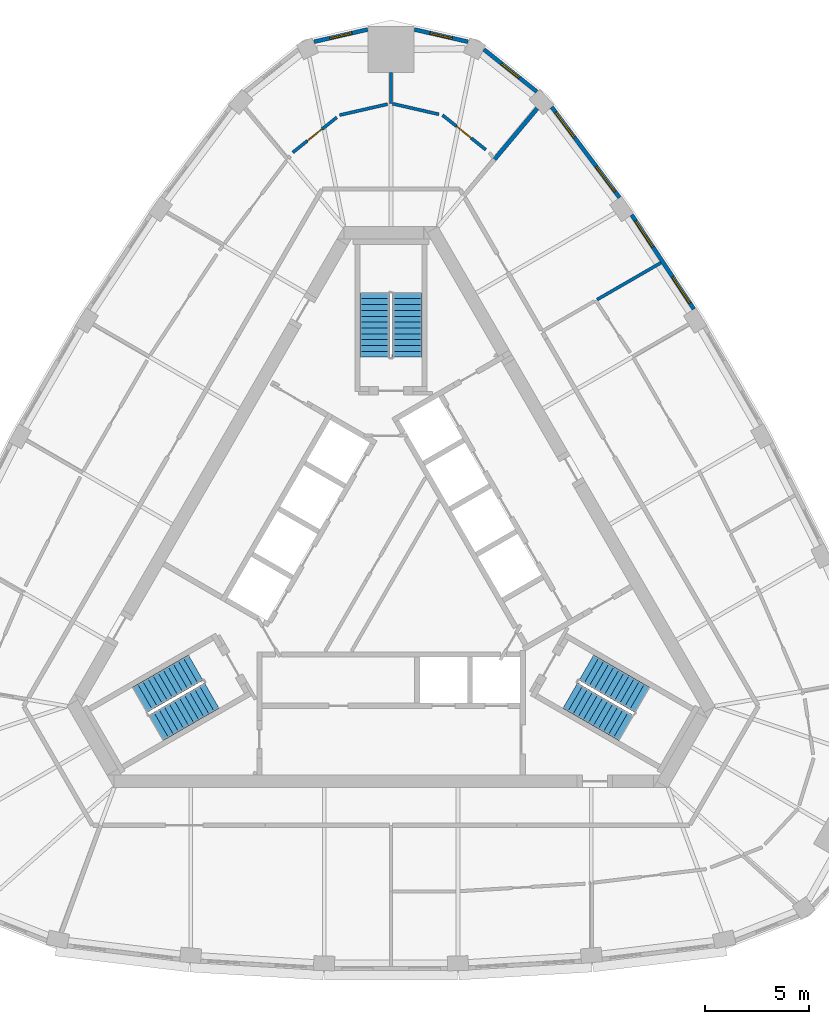
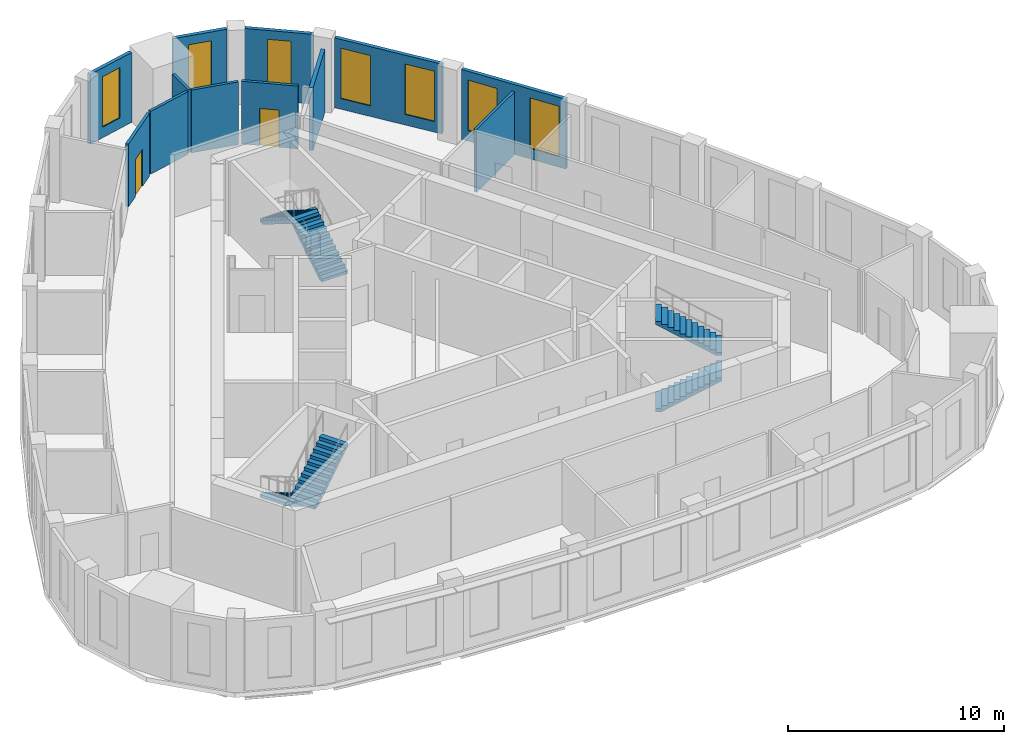
# One storey, part 9 of 10: 12 walls, 7 windows, 6 stair flights, 2 doors, 9 openings, 3 elements without a shape of their own.
"""IFC4 building model written with IfcOpenShell, lengths in metres."""

from ifc_helpers import new_model, si_unit, direction, frame, frame_2d, origin, place, context, subcontext, project, spatial, polyline, rectangle, outline, extrude, material, layer, layer_set, type_object, element, fill, aggregate, save


model = new_model("IFC4")

# Units and contexts
model_context = context("Model", 3, precision=1e-05, world=origin(), true_north=direction((0.0, 1.0)))
body_context = subcontext(model_context, "Body", "Model", "MODEL_VIEW")
ifc_project = project(units=[si_unit("LENGTHUNIT", "METRE"), si_unit("AREAUNIT", "SQUARE_METRE"), si_unit("VOLUMEUNIT", "CUBIC_METRE"), si_unit("PLANEANGLEUNIT", "RADIAN"), si_unit("MASSUNIT", "GRAM", prefix="KILO")], contexts=[model_context])

# Site, building, storey
site_placement = place(None, origin())
site = spatial("IfcSite", under=ifc_project, at=site_placement, CompositionType="ELEMENT")
building_placement = place(site_placement, origin())
building = spatial("IfcBuilding", under=site, at=building_placement, Name="Mestral Congress Tower", CompositionType="ELEMENT")
storey_placement = place(building_placement, frame((0.0, 0.0, 296.39990234375)))
storey = spatial("IfcBuildingStorey", under=building, at=storey_placement, Name="L69", CompositionType="ELEMENT", Elevation=296.39990234375)

# Wall, openings, windows
ifc_material_1 = material(Name="Precast concrete C40/50 with limestone facing", Category="masonry")
ifc_layer_1 = layer(ifc_material_1, 0.18994140625)
ifc_layer_set_1 = layer_set([ifc_layer_1], Name="Precast concrete C40/50 with limestone facing")
wall_type_1 = type_object("IfcWallType", Name="Facade stone wall 190", PredefinedType="SOLIDWALL", material=ifc_layer_set_1)
wall_1_placement = place(storey_placement, frame((14.49560546875, 12.6533203125, 0.0), z_axis=(0.0, 0.0, 1.0), x_axis=(-0.550744054781, 0.83467417962, 0.0)))
wall_1 = element("IfcWall", 1, at=wall_1_placement, inside=storey, type_object=wall_type_1, Name="Facade wall F1-03", PredefinedType="SOLIDWALL", context=body_context, shape_type="SweptSolid", body=[
    extrude(rectangle(XDim=5.406005859375, YDim=0.18994140625, at=frame_2d((2.703125, 0.0))), origin(), (0.0, 0.0, 1.0), 3.9501953125),
])
opening_1_placement = place(wall_1_placement, frame((0.346435546875, 0.0, 0.60009765625)))
opening_1 = element("IfcOpeningElement", 2, at=opening_1_placement, cuts=wall_1, Name="Opening W6", PredefinedType="OPENING", context=body_context, shape_type="SweptSolid", body=[
    extrude(rectangle(XDim=1.5, YDim=2.85009765625, at=frame_2d((0.75, 1.425048828125))), frame((0.0, 0.10498046875, 0.0), z_axis=(0.0, -1.0, 0.0), x_axis=(1.0, 0.0, 0.0)), (0.0, 0.0, 1.0), 0.2099609375),
])
opening_2_placement = place(wall_1_placement, frame((3.559326171875, 0.0, 0.60009765625)))
opening_2 = element("IfcOpeningElement", 3, at=opening_2_placement, cuts=wall_1, Name="Opening W6", PredefinedType="OPENING", context=body_context, shape_type="SweptSolid", body=[
    extrude(rectangle(XDim=1.5, YDim=2.85009765625, at=frame_2d((0.75, 1.425048828125))), frame((0.0, 0.10498046875, 0.0), z_axis=(0.0, -1.0, 0.0), x_axis=(1.0, 0.0, 0.0)), (0.0, 0.0, 1.0), 0.2099609375),
])
ifc_material_2 = material(Name="Clear low-emissivity double glazing", Category="glass")
window_type_1 = type_object("IfcWindowType", Name="Facade punched window 1500 x 2850 sill 600", PartitioningType="SINGLE_PANEL", PredefinedType="WINDOW", material=ifc_material_2)
window_1_placement = place(opening_1_placement, origin())
window_1 = element("IfcWindow", 4, at=window_1_placement, inside=storey, type_object=window_type_1, Name="Window F1-03a", OverallHeight=2.85009765625, OverallWidth=1.5, PartitioningType="SINGLE_PANEL", PredefinedType="WINDOW", context=body_context, shape_type="SweptSolid", body=[
    extrude(rectangle(XDim=1.5, YDim=2.85009765625, at=frame_2d((0.75, 1.425048828125))), frame((0.0, 0.044921875, 0.0), z_axis=(0.0, -1.0, 0.0), x_axis=(1.0, 0.0, 0.0)), (0.0, 0.0, 1.0), 0.06005859375),
])
fill(opening_1, window_1)
window_2_placement = place(opening_2_placement, origin())
window_2 = element("IfcWindow", 5, at=window_2_placement, inside=storey, type_object=window_type_1, Name="Window F1-03b", OverallHeight=2.85009765625, OverallWidth=1.5, PartitioningType="SINGLE_PANEL", PredefinedType="WINDOW", context=body_context, shape_type="SweptSolid", body=[
    extrude(rectangle(XDim=1.5, YDim=2.85009765625, at=frame_2d((0.75, 1.425048828125))), frame((0.0, 0.044921875, 0.0), z_axis=(0.0, -1.0, 0.0), x_axis=(1.0, 0.0, 0.0)), (0.0, 0.0, 1.0), 0.06005859375),
])
fill(opening_2, window_2)

wall_2_placement = place(storey_placement, frame((10.938232421875, 17.989990234375, 0.0), z_axis=(0.0, 0.0, 1.0), x_axis=(-0.599559865294, 0.800329911929, 0.0)))
wall_2 = element("IfcWall", 6, at=wall_2_placement, inside=storey, type_object=wall_type_1, Name="Facade wall F1-04", PredefinedType="SOLIDWALL", context=body_context, shape_type="SweptSolid", body=[
    extrude(rectangle(XDim=5.4150390625, YDim=0.18994140625, at=frame_2d((2.70751953125, 0.0))), origin(), (0.0, 0.0, 1.0), 3.9501953125),
])
opening_3_placement = place(wall_2_placement, frame((0.357666015625, 0.0, 0.60009765625)))
opening_3 = element("IfcOpeningElement", 7, at=opening_3_placement, cuts=wall_2, Name="Opening W6", PredefinedType="OPENING", context=body_context, shape_type="SweptSolid", body=[
    extrude(rectangle(XDim=1.5, YDim=2.85009765625, at=frame_2d((0.75, 1.425048828125))), frame((0.0, 0.10498046875, 0.0), z_axis=(0.0, -1.0, 0.0), x_axis=(1.0, 0.0, 0.0)), (0.0, 0.0, 1.0), 0.2099609375),
])
opening_4_placement = place(wall_2_placement, frame((3.592529296875, 0.0, 0.60009765625)))
opening_4 = element("IfcOpeningElement", 8, at=opening_4_placement, cuts=wall_2, Name="Opening W6", PredefinedType="OPENING", context=body_context, shape_type="SweptSolid", body=[
    extrude(rectangle(XDim=1.5, YDim=2.85009765625, at=frame_2d((0.75, 1.425048828125))), frame((0.0, 0.10498046875, 0.0), z_axis=(0.0, -1.0, 0.0), x_axis=(1.0, 0.0, 0.0)), (0.0, 0.0, 1.0), 0.2099609375),
])
window_3_placement = place(opening_3_placement, origin())
window_3 = element("IfcWindow", 9, at=window_3_placement, inside=storey, type_object=window_type_1, Name="Window F1-04a", OverallHeight=2.85009765625, OverallWidth=1.5, PartitioningType="SINGLE_PANEL", PredefinedType="WINDOW", context=body_context, shape_type="SweptSolid", body=[
    extrude(rectangle(XDim=1.5, YDim=2.85009765625, at=frame_2d((0.75, 1.425048828125))), frame((0.0, 0.044921875, 0.0), z_axis=(0.0, -1.0, 0.0), x_axis=(1.0, 0.0, 0.0)), (0.0, 0.0, 1.0), 0.06005859375),
])
fill(opening_3, window_3)
window_4_placement = place(opening_4_placement, origin())
window_4 = element("IfcWindow", 10, at=window_4_placement, inside=storey, type_object=window_type_1, Name="Window F1-04b", OverallHeight=2.85009765625, OverallWidth=1.5, PartitioningType="SINGLE_PANEL", PredefinedType="WINDOW", context=body_context, shape_type="SweptSolid", body=[
    extrude(rectangle(XDim=1.5, YDim=2.85009765625, at=frame_2d((0.75, 1.425048828125))), frame((0.0, 0.044921875, 0.0), z_axis=(0.0, -1.0, 0.0), x_axis=(1.0, 0.0, 0.0)), (0.0, 0.0, 1.0), 0.06005859375),
])
fill(opening_4, window_4)

# Wall, opening, window
wall_3_placement = place(storey_placement, frame((6.977294921875, 23.061279296875, 0.0), z_axis=(0.0, 0.0, 1.0), x_axis=(-0.781626234064, 0.623747088349, 0.0)))
wall_3 = element("IfcWall", 11, at=wall_3_placement, inside=storey, type_object=wall_type_1, Name="Facade wall K1-0", PredefinedType="SOLIDWALL", context=body_context, shape_type="SweptSolid", body=[
    extrude(rectangle(XDim=3.236572265625, YDim=0.18994140625, at=frame_2d((1.6181640625, 0.0))), origin(), (0.0, 0.0, 1.0), 3.9501953125),
])
opening_5_placement = place(wall_3_placement, frame((1.068359375, 0.0, 0.60009765625)))
opening_5 = element("IfcOpeningElement", 12, at=opening_5_placement, cuts=wall_3, Name="Opening W7", PredefinedType="OPENING", context=body_context, shape_type="SweptSolid", body=[
    extrude(rectangle(XDim=1.10009765625, YDim=2.85009765625, at=frame_2d((0.550048828125, 1.425048828125))), frame((0.0, 0.10498046875, 0.0), z_axis=(0.0, -1.0, 0.0), x_axis=(1.0, 0.0, 0.0)), (0.0, 0.0, 1.0), 0.2099609375),
])
window_type_2 = type_object("IfcWindowType", Name="Facade punched window 1100 x 2850 sill 600", PartitioningType="SINGLE_PANEL", PredefinedType="WINDOW", material=ifc_material_2)
window_5_placement = place(opening_5_placement, origin())
window_5 = element("IfcWindow", 13, at=window_5_placement, inside=storey, type_object=window_type_2, Name="Window K1-0", OverallHeight=2.85009765625, OverallWidth=1.10009765625, PartitioningType="SINGLE_PANEL", PredefinedType="WINDOW", context=body_context, shape_type="SweptSolid", body=[
    extrude(rectangle(XDim=1.10009765625, YDim=2.85009765625, at=frame_2d((0.550048828125, 1.425048828125))), frame((0.0, 0.044921875, 0.0), z_axis=(0.0, -1.0, 0.0), x_axis=(1.0, 0.0, 0.0)), (0.0, 0.0, 1.0), 0.06005859375),
])
fill(opening_5, window_5)

wall_4_placement = place(storey_placement, frame((3.6826171875, 25.44873046875, 0.0), z_axis=(0.0, 0.0, 1.0), x_axis=(-0.974913273386, 0.222585060988, 0.0)))
wall_4 = element("IfcWall", 14, at=wall_4_placement, inside=storey, type_object=wall_type_1, Name="Facade wall K1-1", PredefinedType="SOLIDWALL", context=body_context, shape_type="SweptSolid", body=[
    extrude(rectangle(XDim=2.626953125, YDim=0.18994140625, at=frame_2d((1.3134765625, 0.0))), origin(), (0.0, 0.0, 1.0), 3.9501953125),
])
opening_6_placement = place(wall_4_placement, frame((0.763427734375, 0.0, 0.60009765625)))
opening_6 = element("IfcOpeningElement", 15, at=opening_6_placement, cuts=wall_4, Name="Opening W7", PredefinedType="OPENING", context=body_context, shape_type="SweptSolid", body=[
    extrude(rectangle(XDim=1.10009765625, YDim=2.85009765625, at=frame_2d((0.550048828125, 1.425048828125))), frame((0.0, 0.10498046875, 0.0), z_axis=(0.0, -1.0, 0.0), x_axis=(1.0, 0.0, 0.0)), (0.0, 0.0, 1.0), 0.2099609375),
])
window_6_placement = place(opening_6_placement, origin())
window_6 = element("IfcWindow", 16, at=window_6_placement, inside=storey, type_object=window_type_2, Name="Window K1-1", OverallHeight=2.85009765625, OverallWidth=1.10009765625, PartitioningType="SINGLE_PANEL", PredefinedType="WINDOW", context=body_context, shape_type="SweptSolid", body=[
    extrude(rectangle(XDim=1.10009765625, YDim=2.85009765625, at=frame_2d((0.550048828125, 1.425048828125))), frame((0.0, 0.044921875, 0.0), z_axis=(0.0, -1.0, 0.0), x_axis=(1.0, 0.0, 0.0)), (0.0, 0.0, 1.0), 0.06005859375),
])
fill(opening_6, window_6)

wall_5_placement = place(storey_placement, frame((-1.12158203125, 26.033447265625, 0.0), z_axis=(0.0, 0.0, 1.0), x_axis=(-0.974913273386, -0.222585060988, 0.0)))
wall_5 = element("IfcWall", 17, at=wall_5_placement, inside=storey, type_object=wall_type_1, Name="Facade wall K1-2", PredefinedType="SOLIDWALL", context=body_context, shape_type="SweptSolid", body=[
    extrude(rectangle(XDim=2.626953125, YDim=0.18994140625, at=frame_2d((1.3134765625, 0.0))), origin(), (0.0, 0.0, 1.0), 3.9501953125),
])
opening_7_placement = place(wall_5_placement, frame((0.763427734375, 0.0, 0.60009765625)))
opening_7 = element("IfcOpeningElement", 18, at=opening_7_placement, cuts=wall_5, Name="Opening W7", PredefinedType="OPENING", context=body_context, shape_type="SweptSolid", body=[
    extrude(rectangle(XDim=1.10009765625, YDim=2.85009765625, at=frame_2d((0.550048828125, 1.425048828125))), frame((0.0, 0.10498046875, 0.0), z_axis=(0.0, -1.0, 0.0), x_axis=(1.0, 0.0, 0.0)), (0.0, 0.0, 1.0), 0.2099609375),
])
window_7_placement = place(opening_7_placement, origin())
window_7 = element("IfcWindow", 19, at=window_7_placement, inside=storey, type_object=window_type_2, Name="Window K1-2", OverallHeight=2.85009765625, OverallWidth=1.10009765625, PartitioningType="SINGLE_PANEL", PredefinedType="WINDOW", context=body_context, shape_type="SweptSolid", body=[
    extrude(rectangle(XDim=1.10009765625, YDim=2.85009765625, at=frame_2d((0.550048828125, 1.425048828125))), frame((0.0, 0.044921875, 0.0), z_axis=(0.0, -1.0, 0.0), x_axis=(1.0, 0.0, 0.0)), (0.0, 0.0, 1.0), 0.06005859375),
])
fill(opening_7, window_7)

# Walls
ifc_material_3 = material(Name="Plasterboard partition on steel studs", Category="steel")
ifc_layer_2 = layer(ifc_material_3, 0.14990234375)
ifc_layer_set_2 = layer_set([ifc_layer_2], Name="Plasterboard partition on steel studs")
wall_type_2 = type_object("IfcWallType", Name="Office partition 150", PredefinedType="PARTITIONING", material=ifc_layer_set_2)
wall_6_placement = place(storey_placement, frame((9.85986328125, 13.10595703125, 0.0), z_axis=(0.0, 0.0, 1.0), x_axis=(0.866022094817, 0.500005731256, 0.0)))
element("IfcWall", 20, at=wall_6_placement, inside=storey, type_object=wall_type_2, Name="Partition", PredefinedType="PARTITIONING", context=body_context, shape_type="SweptSolid", body=[
    extrude(rectangle(XDim=3.53125, YDim=0.14990234375, at=frame_2d((1.765625, 0.0))), origin(), (0.0, 0.0, 1.0), 3.550048828125),
])
wall_7_placement = place(storey_placement, frame((0.0, 22.49951171875, 0.0), z_axis=(0.0, 0.0, 1.0), x_axis=(0.0, 1.0, 0.0)))
element("IfcWall", 21, at=wall_7_placement, inside=storey, type_object=wall_type_2, Name="Partition", PredefinedType="PARTITIONING", context=body_context, shape_type="SweptSolid", body=[
    extrude(rectangle(XDim=1.478515625, YDim=0.14990234375, at=frame_2d((0.7392578125, 0.0))), origin(), (0.0, 0.0, 1.0), 3.550048828125),
])

# Wall, opening, door
wall_8_placement = place(storey_placement, frame((2.4619140625, 21.937255859375, 0.0), z_axis=(0.0, 0.0, 1.0), x_axis=(0.781630346222, -0.62374193531, 0.0)))
wall_8 = element("IfcWall", 22, at=wall_8_placement, inside=storey, type_object=wall_type_2, Name="Partition", PredefinedType="PARTITIONING", context=body_context, shape_type="SweptSolid", body=[
    extrude(rectangle(XDim=2.656494140625, YDim=0.14990234375, at=frame_2d((1.328125, 0.0))), origin(), (0.0, 0.0, 1.0), 3.550048828125),
])
opening_8_placement = place(wall_8_placement, frame((0.856689453125, 0.0, 0.0)))
opening_8 = element("IfcOpeningElement", 23, at=opening_8_placement, cuts=wall_8, Name="Opening O13-010", PredefinedType="OPENING", context=body_context, shape_type="SweptSolid", body=[
    extrude(rectangle(XDim=0.89990234375, YDim=2.10009765625, at=frame_2d((0.449951171875, 1.050048828125))), frame((0.0, 0.0849609375, 0.0), z_axis=(0.0, -1.0, 0.0), x_axis=(1.0, 0.0, 0.0)), (0.0, 0.0, 1.0), 0.169921875),
])
ifc_material_4 = material(Name="Timber door set", Category="wood")
door_type = type_object("IfcDoorType", Name="Office door 900x2100", OperationType="SINGLE_SWING_LEFT", PredefinedType="DOOR", material=ifc_material_4)
door_1_placement = place(opening_8_placement, origin())
door_1 = element("IfcDoor", 24, at=door_1_placement, inside=storey, type_object=door_type, Name="Door O13-010", OperationType="SINGLE_SWING_LEFT", OverallHeight=2.10009765625, OverallWidth=0.89990234375, PredefinedType="DOOR", context=body_context, shape_type="SweptSolid", body=[
    extrude(rectangle(XDim=0.89990234375, YDim=2.10009765625, at=frame_2d((0.449951171875, 1.050048828125))), frame((0.0, 0.02490234375, 0.0), z_axis=(0.0, -1.0, 0.0), x_axis=(1.0, 0.0, 0.0)), (0.0, 0.0, 1.0), 0.050048828125),
])
fill(opening_8, door_1)

# Walls
wall_9_placement = place(storey_placement, frame((2.29345703125, 21.975830078125, 0.0), z_axis=(0.0, 0.0, 1.0), x_axis=(-0.974905760283, 0.22261796551, 0.0)))
element("IfcWall", 25, at=wall_9_placement, inside=storey, type_object=wall_type_2, Name="Partition", PredefinedType="PARTITIONING", context=body_context, shape_type="SweptSolid", body=[
    extrude(rectangle(XDim=2.275634765625, YDim=0.14990234375, at=frame_2d((1.1376953125, 0.0))), origin(), (0.0, 0.0, 1.0), 3.550048828125),
])
wall_10_placement = place(storey_placement, frame((-0.16845703125, 22.461181640625, 0.0), z_axis=(0.0, 0.0, 1.0), x_axis=(-0.974885550769, -0.222706450069, 0.0)))
element("IfcWall", 26, at=wall_10_placement, inside=storey, type_object=wall_type_2, Name="Partition", PredefinedType="PARTITIONING", context=body_context, shape_type="SweptSolid", body=[
    extrude(rectangle(XDim=2.3525390625, YDim=0.14990234375, at=frame_2d((1.17626953125, 0.0))), origin(), (0.0, 0.0, 1.0), 3.550048828125),
])

# Wall, opening, door
wall_11_placement = place(storey_placement, frame((-4.705810546875, 20.146484375, 0.0), z_axis=(0.0, 0.0, 1.0), x_axis=(0.781592149204, 0.623789798172, 0.0)))
wall_11 = element("IfcWall", 27, at=wall_11_placement, inside=storey, type_object=wall_type_2, Name="Partition", PredefinedType="PARTITIONING", context=body_context, shape_type="SweptSolid", body=[
    extrude(rectangle(XDim=2.6982421875, YDim=0.14990234375, at=frame_2d((1.34912109375, 0.0))), origin(), (0.0, 0.0, 1.0), 3.550048828125),
])
opening_9_placement = place(wall_11_placement, frame((0.898193359375, 0.0, 0.0)))
opening_9 = element("IfcOpeningElement", 28, at=opening_9_placement, cuts=wall_11, Name="Opening O13-011", PredefinedType="OPENING", context=body_context, shape_type="SweptSolid", body=[
    extrude(rectangle(XDim=0.89990234375, YDim=2.10009765625, at=frame_2d((0.449951171875, 1.050048828125))), frame((0.0, 0.0849609375, 0.0), z_axis=(0.0, -1.0, 0.0), x_axis=(1.0, 0.0, 0.0)), (0.0, 0.0, 1.0), 0.169921875),
])
door_2_placement = place(opening_9_placement, origin())
door_2 = element("IfcDoor", 29, at=door_2_placement, inside=storey, type_object=door_type, Name="Door O13-011", OperationType="SINGLE_SWING_LEFT", OverallHeight=2.10009765625, OverallWidth=0.89990234375, PredefinedType="DOOR", context=body_context, shape_type="SweptSolid", body=[
    extrude(rectangle(XDim=0.89990234375, YDim=2.10009765625, at=frame_2d((0.449951171875, 1.050048828125))), frame((0.0, 0.02490234375, 0.0), z_axis=(0.0, -1.0, 0.0), x_axis=(1.0, 0.0, 0.0)), (0.0, 0.0, 1.0), 0.050048828125),
])
fill(opening_9, door_2)

# Wall
ifc_material_5 = material(Name="Dense masonry wall, plastered", Category="masonry")
ifc_layer_3 = layer(ifc_material_5, 0.199951171875)
ifc_layer_set_3 = layer_set([ifc_layer_3], Name="Dense masonry wall, plastered")
wall_type_3 = type_object("IfcWallType", Name="Office tenancy wall 200", PredefinedType="PARTITIONING", material=ifc_layer_set_3)
wall_12_placement = place(storey_placement, frame((4.949951171875, 19.814208984375, 0.0), z_axis=(0.0, 0.0, 1.0), x_axis=(0.642981953866, 0.765881326971, 0.0)))
element("IfcWall", 30, at=wall_12_placement, inside=storey, type_object=wall_type_3, Name="Tenancy wall", PredefinedType="PARTITIONING", context=body_context, shape_type="SweptSolid", body=[
    extrude(rectangle(XDim=3.188232421875, YDim=0.199951171875, at=frame_2d((1.59423828125, 0.0))), origin(), (0.0, 0.0, 1.0), 3.550048828125),
])

# Stair, stair flights
ifc_material_6 = material(Name="Concrete C60/75", Category="concrete")
stair_type = type_object("IfcStairType", Name="Exit stair 1400", PredefinedType="HALF_TURN_STAIR", material=ifc_material_6)
placement = place(storey_placement, origin())
stair_1 = element("IfcStair", 31, at=placement, inside=storey, type_object=stair_type, Name="L69 ST1", PredefinedType="HALF_TURN_STAIR")
stair_flight_type = type_object("IfcStairFlightType", Name="Exit stair flight 1400", PredefinedType="STRAIGHT", material=ifc_material_6)
stair_flight_1_placement = place(storey_placement, frame((8.575927734375, -5.84619140625, 0.0), z_axis=(0.0, 0.0, 1.0), x_axis=(0.866025403784, -0.5, 0.0)))
stair_flight_1 = element("IfcStairFlight", 32, at=stair_flight_1_placement, type_object=stair_flight_type, Name="ST1 flight 1", NumberOfRisers=12, NumberOfTreads=11, PredefinedType="STRAIGHT", RiserHeight=0.175, TreadLength=0.28, context=body_context, shape_type="SweptSolid", body=[
    extrude(outline(polyline([(0.0, 0.0), (0.0, 0.175048828125), (0.280029296875, 0.175048828125), (0.280029296875, 0.35009765625), (0.56005859375, 0.35009765625), (0.56005859375, 0.52490234375), (0.840087890625, 0.52490234375), (0.840087890625, 0.699951171875), (1.1201171875, 0.699951171875), (1.1201171875, 0.875), (1.39990234375, 0.875), (1.39990234375, 1.050048828125), (1.679931640625, 1.050048828125), (1.679931640625, 1.22509765625), (1.9599609375, 1.22509765625), (1.9599609375, 1.39990234375), (2.239990234375, 1.39990234375), (2.239990234375, 1.574951171875), (2.52001953125, 1.574951171875), (2.52001953125, 1.75), (2.800048828125, 1.75), (2.800048828125, 1.925048828125), (3.080078125, 1.925048828125), (3.080078125, 2.10009765625), (3.080078125, 1.748291015625), (0.28271484375, 0.0), (0.0, 0.0)])), frame((0.0, 0.699951171875, 0.0), z_axis=(0.0, -1.0, 0.0), x_axis=(1.0, 0.0, 0.0)), (0.0, 0.0, 1.0), 1.39990234375),
])
stair_flight_2_placement = place(storey_placement, frame((12.018310546875, -6.0439453125, 2.10009765625), z_axis=(0.0, 0.0, 1.0), x_axis=(-0.866025403784, 0.5, 0.0)))
stair_flight_2 = element("IfcStairFlight", 33, at=stair_flight_2_placement, type_object=stair_flight_type, Name="ST1 flight 2", NumberOfRisers=12, NumberOfTreads=11, PredefinedType="STRAIGHT", RiserHeight=0.175, TreadLength=0.28, context=body_context, shape_type="SweptSolid", body=[
    extrude(outline(polyline([(0.0, 0.0), (0.0, 0.175048828125), (0.280029296875, 0.175048828125), (0.280029296875, 0.35009765625), (0.56005859375, 0.35009765625), (0.56005859375, 0.52490234375), (0.840087890625, 0.52490234375), (0.840087890625, 0.699951171875), (1.1201171875, 0.699951171875), (1.1201171875, 0.875), (1.39990234375, 0.875), (1.39990234375, 1.050048828125), (1.679931640625, 1.050048828125), (1.679931640625, 1.22509765625), (1.9599609375, 1.22509765625), (1.9599609375, 1.39990234375), (2.239990234375, 1.39990234375), (2.239990234375, 1.574951171875), (2.52001953125, 1.574951171875), (2.52001953125, 1.75), (2.800048828125, 1.75), (2.800048828125, 1.925048828125), (3.080078125, 1.925048828125), (3.080078125, 2.10009765625), (3.080078125, 1.748291015625), (0.28271484375, 0.0), (0.0, 0.0)])), frame((0.0, 0.699951171875, 0.0), z_axis=(0.0, -1.0, 0.0), x_axis=(1.0, 0.0, 0.0)), (0.0, 0.0, 1.0), 1.39990234375),
])
aggregate(stair_1, [stair_flight_1, stair_flight_2])

stair_2 = element("IfcStair", 34, at=placement, inside=storey, type_object=stair_type, Name="L69 ST2", PredefinedType="HALF_TURN_STAIR")
stair_flight_3_placement = place(storey_placement, frame((0.77490234375, 10.35009765625, 0.0), z_axis=(0.0, 0.0, 1.0), x_axis=(0.0, 1.0, 0.0)))
stair_flight_3 = element("IfcStairFlight", 35, at=stair_flight_3_placement, type_object=stair_flight_type, Name="ST2 flight 1", NumberOfRisers=12, NumberOfTreads=11, PredefinedType="STRAIGHT", RiserHeight=0.175, TreadLength=0.28, context=body_context, shape_type="SweptSolid", body=[
    extrude(outline(polyline([(0.0, 0.0), (0.0, 0.175048828125), (0.280029296875, 0.175048828125), (0.280029296875, 0.35009765625), (0.56005859375, 0.35009765625), (0.56005859375, 0.52490234375), (0.840087890625, 0.52490234375), (0.840087890625, 0.699951171875), (1.1201171875, 0.699951171875), (1.1201171875, 0.875), (1.39990234375, 0.875), (1.39990234375, 1.050048828125), (1.679931640625, 1.050048828125), (1.679931640625, 1.22509765625), (1.9599609375, 1.22509765625), (1.9599609375, 1.39990234375), (2.239990234375, 1.39990234375), (2.239990234375, 1.574951171875), (2.52001953125, 1.574951171875), (2.52001953125, 1.75), (2.800048828125, 1.75), (2.800048828125, 1.925048828125), (3.080078125, 1.925048828125), (3.080078125, 2.10009765625), (3.080078125, 1.748291015625), (0.28271484375, 0.0), (0.0, 0.0)])), frame((0.0, 0.699951171875, 0.0), z_axis=(0.0, -1.0, 0.0), x_axis=(1.0, 0.0, 0.0)), (0.0, 0.0, 1.0), 1.39990234375),
])
stair_flight_4_placement = place(storey_placement, frame((-0.77490234375, 13.429931640625, 2.10009765625), z_axis=(0.0, 0.0, 1.0), x_axis=(0.0, -1.0, 0.0)))
stair_flight_4 = element("IfcStairFlight", 36, at=stair_flight_4_placement, type_object=stair_flight_type, Name="ST2 flight 2", NumberOfRisers=12, NumberOfTreads=11, PredefinedType="STRAIGHT", RiserHeight=0.175, TreadLength=0.28, context=body_context, shape_type="SweptSolid", body=[
    extrude(outline(polyline([(0.0, 0.0), (0.0, 0.175048828125), (0.280029296875, 0.175048828125), (0.280029296875, 0.35009765625), (0.56005859375, 0.35009765625), (0.56005859375, 0.52490234375), (0.840087890625, 0.52490234375), (0.840087890625, 0.699951171875), (1.1201171875, 0.699951171875), (1.1201171875, 0.875), (1.39990234375, 0.875), (1.39990234375, 1.050048828125), (1.679931640625, 1.050048828125), (1.679931640625, 1.22509765625), (1.9599609375, 1.22509765625), (1.9599609375, 1.39990234375), (2.239990234375, 1.39990234375), (2.239990234375, 1.574951171875), (2.52001953125, 1.574951171875), (2.52001953125, 1.75), (2.800048828125, 1.75), (2.800048828125, 1.925048828125), (3.080078125, 1.925048828125), (3.080078125, 2.10009765625), (3.080078125, 1.748291015625), (0.28271484375, 0.0), (0.0, 0.0)])), frame((0.0, 0.699951171875, 0.0), z_axis=(0.0, -1.0, 0.0), x_axis=(1.0, 0.0, 0.0)), (0.0, 0.0, 1.0), 1.39990234375),
])
aggregate(stair_2, [stair_flight_3, stair_flight_4])

stair_3 = element("IfcStair", 37, at=placement, inside=storey, type_object=stair_type, Name="L69 ST3", PredefinedType="HALF_TURN_STAIR")
stair_flight_5_placement = place(storey_placement, frame((-9.350830078125, -4.50390625, 0.0), z_axis=(0.0, 0.0, 1.0), x_axis=(-0.866025403784, -0.5, 0.0)))
stair_flight_5 = element("IfcStairFlight", 38, at=stair_flight_5_placement, type_object=stair_flight_type, Name="ST3 flight 1", NumberOfRisers=12, NumberOfTreads=11, PredefinedType="STRAIGHT", RiserHeight=0.175, TreadLength=0.28, context=body_context, shape_type="SweptSolid", body=[
    extrude(outline(polyline([(0.0, 0.0), (0.0, 0.175048828125), (0.280029296875, 0.175048828125), (0.280029296875, 0.35009765625), (0.56005859375, 0.35009765625), (0.56005859375, 0.52490234375), (0.840087890625, 0.52490234375), (0.840087890625, 0.699951171875), (1.1201171875, 0.699951171875), (1.1201171875, 0.875), (1.39990234375, 0.875), (1.39990234375, 1.050048828125), (1.679931640625, 1.050048828125), (1.679931640625, 1.22509765625), (1.9599609375, 1.22509765625), (1.9599609375, 1.39990234375), (2.239990234375, 1.39990234375), (2.239990234375, 1.574951171875), (2.52001953125, 1.574951171875), (2.52001953125, 1.75), (2.800048828125, 1.75), (2.800048828125, 1.925048828125), (3.080078125, 1.925048828125), (3.080078125, 2.10009765625), (3.080078125, 1.748291015625), (0.28271484375, 0.0), (0.0, 0.0)])), frame((0.0, 0.699951171875, 0.0), z_axis=(0.0, -1.0, 0.0), x_axis=(1.0, 0.0, 0.0)), (0.0, 0.0, 1.0), 1.39990234375),
])
stair_flight_6_placement = place(storey_placement, frame((-11.2431640625, -7.38623046875, 2.10009765625), z_axis=(0.0, 0.0, 1.0), x_axis=(0.866025403784, 0.5, 0.0)))
stair_flight_6 = element("IfcStairFlight", 39, at=stair_flight_6_placement, type_object=stair_flight_type, Name="ST3 flight 2", NumberOfRisers=12, NumberOfTreads=11, PredefinedType="STRAIGHT", RiserHeight=0.175, TreadLength=0.28, context=body_context, shape_type="SweptSolid", body=[
    extrude(outline(polyline([(0.0, 0.0), (0.0, 0.175048828125), (0.280029296875, 0.175048828125), (0.280029296875, 0.35009765625), (0.56005859375, 0.35009765625), (0.56005859375, 0.52490234375), (0.840087890625, 0.52490234375), (0.840087890625, 0.699951171875), (1.1201171875, 0.699951171875), (1.1201171875, 0.875), (1.39990234375, 0.875), (1.39990234375, 1.050048828125), (1.679931640625, 1.050048828125), (1.679931640625, 1.22509765625), (1.9599609375, 1.22509765625), (1.9599609375, 1.39990234375), (2.239990234375, 1.39990234375), (2.239990234375, 1.574951171875), (2.52001953125, 1.574951171875), (2.52001953125, 1.75), (2.800048828125, 1.75), (2.800048828125, 1.925048828125), (3.080078125, 1.925048828125), (3.080078125, 2.10009765625), (3.080078125, 1.748291015625), (0.28271484375, 0.0), (0.0, 0.0)])), frame((0.0, 0.699951171875, 0.0), z_axis=(0.0, -1.0, 0.0), x_axis=(1.0, 0.0, 0.0)), (0.0, 0.0, 1.0), 1.39990234375),
])
aggregate(stair_3, [stair_flight_5, stair_flight_6])

save(model, "model.ifc")
